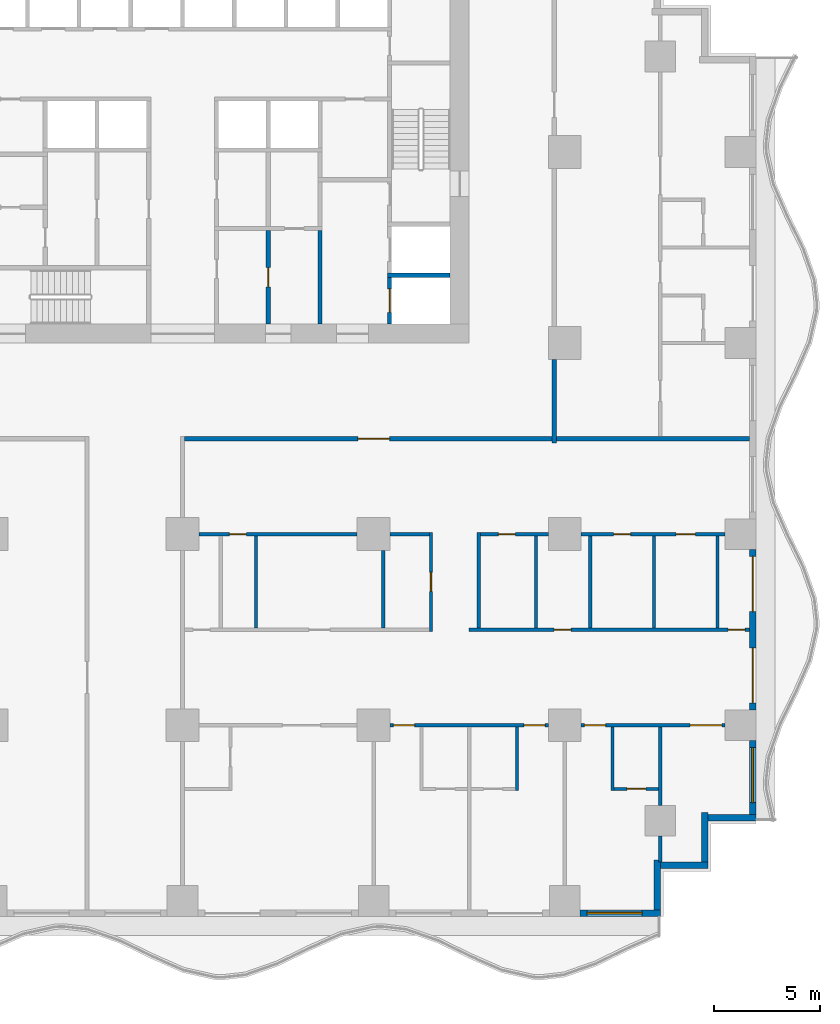
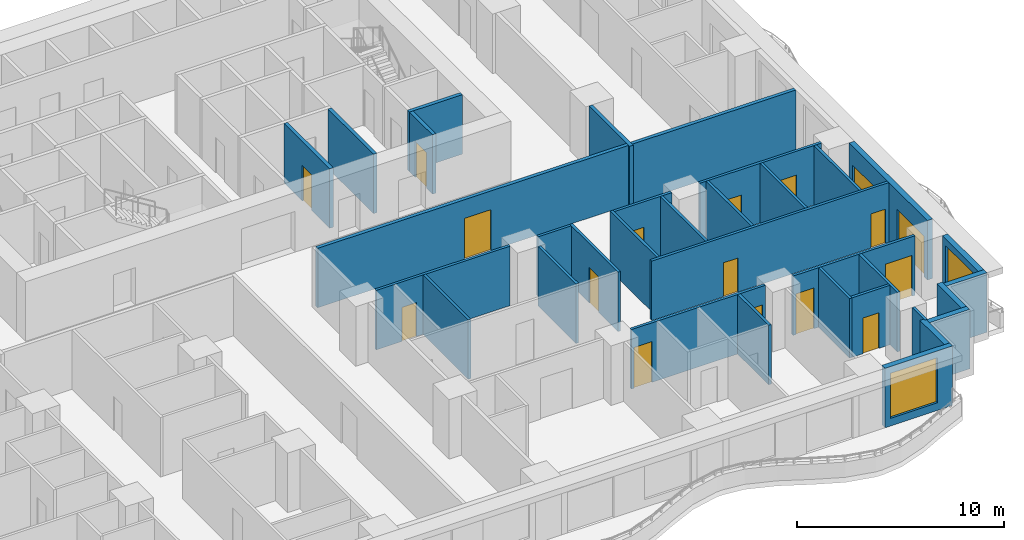
# One storey, part 4 of 14: 34 walls, 17 doors, 2 windows, 19 openings.
"""IFC4 building model written with IfcOpenShell, lengths in metres."""

from ifc_helpers import new_model, si_unit, direction, frame, frame_2d, origin, place, context, subcontext, project, spatial, rectangle, extrude, material, layer, layer_set, type_object, element, fill, save


model = new_model("IFC4")

# Units and contexts
model_context = context("Model", 3, precision=1e-05, world=origin(), true_north=direction((0.0, 1.0)))
body_context = subcontext(model_context, "Body", "Model", "MODEL_VIEW")
ifc_project = project(units=[si_unit("LENGTHUNIT", "METRE"), si_unit("AREAUNIT", "SQUARE_METRE"), si_unit("VOLUMEUNIT", "CUBIC_METRE"), si_unit("PLANEANGLEUNIT", "RADIAN"), si_unit("MASSUNIT", "GRAM", prefix="KILO")], contexts=[model_context])

# Site, building, storey
site_placement = place(None, origin())
site = spatial("IfcSite", under=ifc_project, at=site_placement, CompositionType="ELEMENT")
building_placement = place(site_placement, origin())
building = spatial("IfcBuilding", under=site, at=building_placement, Name="Orbiselva Terraces", CompositionType="ELEMENT")
storey_placement = place(building_placement, frame((0.0, 0.0, 34.0)))
storey = spatial("IfcBuildingStorey", under=building, at=storey_placement, Name="L08", CompositionType="ELEMENT", Elevation=34.0)

# Wall, opening, door
ifc_material_1 = material(Name="Masonry blockwork", Category="masonry")
ifc_layer_1 = layer(ifc_material_1, 0.2)
ifc_layer_set_1 = layer_set([ifc_layer_1], Name="Masonry blockwork")
wall_type_1 = type_object("IfcWallType", Name="CORE-WALL-PARTITION-200", PredefinedType="PARTITIONING", material=ifc_layer_set_1)
wall_1_placement = place(storey_placement, frame((4.0375, 9.8, 0.0), z_axis=(0.0, 0.0, 1.0), x_axis=(0.0, -1.0, 0.0)))
wall_1 = element("IfcWall", 1, at=wall_1_placement, inside=storey, type_object=wall_type_1, Name="L08 core wall 36", PredefinedType="PARTITIONING", context=body_context, shape_type="SweptSolid", body=[
    extrude(rectangle(XDim=4.4, YDim=0.2, at=frame_2d((2.2, 0.0))), origin(), (0.0, 0.0, 1.0), 3.5),
])
opening_1_placement = place(wall_1_placement, frame((1.75, 0.0, 0.0)))
opening_1 = element("IfcOpeningElement", 2, at=opening_1_placement, cuts=wall_1, Name="Opening DR900", PredefinedType="OPENING", context=body_context, shape_type="SweptSolid", body=[
    extrude(rectangle(XDim=0.9, YDim=2.1, at=frame_2d((0.45, 1.05))), frame((0.0, 0.11, 0.0), z_axis=(0.0, -1.0, 0.0), x_axis=(1.0, 0.0, 0.0)), (0.0, 0.0, 1.0), 0.22),
])
ifc_material_2 = material(Name="Steel fire door", Category="steel")
door_type_1 = type_object("IfcDoorType", Name="ROOM DOOR 900", OperationType="NOTDEFINED", PredefinedType="DOOR", material=ifc_material_2)
door_1_placement = place(opening_1_placement, origin())
door_1 = element("IfcDoor", 3, at=door_1_placement, inside=storey, type_object=door_type_1, Name="L08 SPARE PARTS STORE door", OperationType="SINGLE_SWING_LEFT", OverallHeight=2.1, OverallWidth=0.9, PredefinedType="DOOR", context=body_context, shape_type="SweptSolid", body=[
    extrude(rectangle(XDim=0.9, YDim=2.1, at=frame_2d((0.45, 1.05))), frame((0.0, 0.025, 0.0), z_axis=(0.0, -1.0, 0.0), x_axis=(1.0, 0.0, 0.0)), (0.0, 0.0, 1.0), 0.05),
])
fill(opening_1, door_1)

# Wall
ifc_material_3 = material(Name="Concrete C60/75", Category="concrete")
ifc_layer_2 = layer(ifc_material_3, 0.2)
ifc_layer_set_2 = layer_set([ifc_layer_2], Name="Concrete C60/75")
wall_type_2 = type_object("IfcWallType", Name="CORE-WALL-SHEAR-200", PredefinedType="SHEAR", material=ifc_layer_set_2)
wall_2_placement = place(storey_placement, frame((6.475, 5.4, 0.0), z_axis=(0.0, 0.0, 1.0), x_axis=(0.0, 1.0, 0.0)))
element("IfcWall", 4, at=wall_2_placement, inside=storey, type_object=wall_type_2, Name="L08 core wall 40", PredefinedType="SHEAR", context=body_context, shape_type="SweptSolid", body=[
    extrude(rectangle(XDim=4.4, YDim=0.2, at=frame_2d((2.2, 0.0))), origin(), (0.0, 0.0, 1.0), 3.5),
])

# Wall, opening, door
wall_3_placement = place(storey_placement, frame((9.75, 5.4, 0.0), z_axis=(0.0, 0.0, 1.0), x_axis=(0.0, 1.0, 0.0)))
wall_3 = element("IfcWall", 5, at=wall_3_placement, inside=storey, type_object=wall_type_2, Name="L08 core wall 46", PredefinedType="SHEAR", context=body_context, shape_type="SweptSolid", body=[
    extrude(rectangle(XDim=2.2, YDim=0.2, at=frame_2d((1.1, 0.0))), origin(), (0.0, 0.0, 1.0), 3.5),
])
opening_2_placement = place(wall_3_placement, frame((0.55, 0.0, 0.0)))
opening_2 = element("IfcOpeningElement", 6, at=opening_2_placement, cuts=wall_3, Name="Opening LD-FF1", PredefinedType="OPENING", context=body_context, shape_type="SweptSolid", body=[
    extrude(rectangle(XDim=1.1, YDim=2.1, at=frame_2d((0.55, 1.05))), frame((0.0, 0.11, 0.0), z_axis=(0.0, -1.0, 0.0), x_axis=(1.0, 0.0, 0.0)), (0.0, 0.0, 1.0), 0.22),
])
ifc_material_4 = material(Name="Stainless steel landing door", Category="steel")
door_type_2 = type_object("IfcDoorType", Name="LANDING DOOR 1100", OperationType="SLIDING_TO_LEFT", PredefinedType="DOOR", material=ifc_material_4)
door_2_placement = place(opening_2_placement, origin())
door_2 = element("IfcDoor", 7, at=door_2_placement, inside=storey, type_object=door_type_2, Name="L08 landing door FF1", OperationType="SLIDING_TO_RIGHT", OverallHeight=2.1, OverallWidth=1.1, PredefinedType="DOOR", context=body_context, shape_type="SweptSolid", body=[
    extrude(rectangle(XDim=1.1, YDim=2.1, at=frame_2d((0.55, 1.05))), frame((0.0, 0.025, 0.0), z_axis=(0.0, -1.0, 0.0), x_axis=(1.0, 0.0, 0.0)), (0.0, 0.0, 1.0), 0.05),
])
fill(opening_2, door_2)

# Wall
wall_4_placement = place(storey_placement, frame((9.65, 7.7, 0.0), z_axis=(0.0, 0.0, 1.0), x_axis=(1.0, 0.0, 0.0)))
element("IfcWall", 8, at=wall_4_placement, inside=storey, type_object=wall_type_2, Name="L08 core wall 47", PredefinedType="SHEAR", context=body_context, shape_type="SweptSolid", body=[
    extrude(rectangle(XDim=2.95, YDim=0.2, at=frame_2d((1.475, 0.0))), origin(), (0.0, 0.0, 1.0), 3.5),
])

# Wall, opening, window
ifc_material_5 = material(Name="Terracotta cladding on masonry backing", Category="masonry")
ifc_layer_3 = layer(ifc_material_5, 0.3)
ifc_layer_set_3 = layer_set([ifc_layer_3], Name="Terracotta cladding on masonry backing")
wall_type_3 = type_object("IfcWallType", Name="ENV-WALL-TERRACOTTA-300", PredefinedType="SOLIDWALL", material=ifc_layer_set_3)
wall_5_placement = place(storey_placement, frame((22.5, -22.35, 0.0), z_axis=(0.0, 0.0, 1.0), x_axis=(-1.0, 0.0, 0.0)))
wall_5 = element("IfcWall", 9, at=wall_5_placement, inside=storey, type_object=wall_type_3, Name="Facade wall L08 S", PredefinedType="SOLIDWALL", context=body_context, shape_type="SweptSolid", body=[
    extrude(rectangle(XDim=3.775, YDim=0.3, at=frame_2d((1.8875, 0.0))), origin(), (0.0, 0.0, 1.0), 3.5),
])
opening_3_placement = place(wall_5_placement, frame((0.85, 0.0, 0.45)))
opening_3 = element("IfcOpeningElement", 10, at=opening_3_placement, cuts=wall_5, Name="Opening WN1", PredefinedType="OPENING", context=body_context, shape_type="SweptSolid", body=[
    extrude(rectangle(XDim=2.6, YDim=2.65, at=frame_2d((1.3, 1.325))), frame((0.0, 0.16, 0.0), z_axis=(0.0, -1.0, 0.0), x_axis=(1.0, 0.0, 0.0)), (0.0, 0.0, 1.0), 0.32),
])
ifc_material_6 = material(Name="Clear low-e glazing in aluminium frame", Category="aluminium")
window_type = type_object("IfcWindowType", Name="WINDOW 2600 X 2650 S450", PartitioningType="TRIPLE_PANEL_VERTICAL", PredefinedType="WINDOW", material=ifc_material_6)
window_1_placement = place(opening_3_placement, origin())
window_1 = element("IfcWindow", 11, at=window_1_placement, inside=storey, type_object=window_type, Name="Window L08 S", OverallHeight=2.65, OverallWidth=2.6, PartitioningType="SINGLE_PANEL", PredefinedType="WINDOW", context=body_context, shape_type="SweptSolid", body=[
    extrude(rectangle(XDim=2.6, YDim=2.65, at=frame_2d((1.3, 1.325))), frame((0.0, 0.03, 0.0), z_axis=(0.0, -1.0, 0.0), x_axis=(1.0, 0.0, 0.0)), (0.0, 0.0, 1.0), 0.06),
])
fill(opening_3, window_1)

# Walls
wall_6_placement = place(storey_placement, frame((22.35, -19.85, 0.0), z_axis=(0.0, 0.0, 1.0), x_axis=(0.0, -1.0, 0.0)))
element("IfcWall", 12, at=wall_6_placement, inside=storey, type_object=wall_type_3, Name="Facade wall L08 STEP", PredefinedType="SOLIDWALL", context=body_context, shape_type="SweptSolid", body=[
    extrude(rectangle(XDim=2.35, YDim=0.3, at=frame_2d((1.175, 0.0))), origin(), (0.0, 0.0, 1.0), 3.5),
])
wall_7_placement = place(storey_placement, frame((24.75, -20.1, 0.0), z_axis=(0.0, 0.0, 1.0), x_axis=(-1.0, 0.0, 0.0)))
element("IfcWall", 13, at=wall_7_placement, inside=storey, type_object=wall_type_3, Name="Facade wall L08 STEP", PredefinedType="SOLIDWALL", context=body_context, shape_type="SweptSolid", body=[
    extrude(rectangle(XDim=2.25, YDim=0.3, at=frame_2d((1.125, 0.0))), origin(), (0.0, 0.0, 1.0), 3.5),
])
wall_8_placement = place(storey_placement, frame((24.6, -17.6, 0.0), z_axis=(0.0, 0.0, 1.0), x_axis=(0.0, -1.0, 0.0)))
element("IfcWall", 14, at=wall_8_placement, inside=storey, type_object=wall_type_3, Name="Facade wall L08 STEP", PredefinedType="SOLIDWALL", context=body_context, shape_type="SweptSolid", body=[
    extrude(rectangle(XDim=2.35, YDim=0.3, at=frame_2d((1.175, 0.0))), origin(), (0.0, 0.0, 1.0), 3.5),
])
wall_9_placement = place(storey_placement, frame((27.0, -17.85, 0.0), z_axis=(0.0, 0.0, 1.0), x_axis=(-1.0, 0.0, 0.0)))
element("IfcWall", 15, at=wall_9_placement, inside=storey, type_object=wall_type_3, Name="Facade wall L08 STEP", PredefinedType="SOLIDWALL", context=body_context, shape_type="SweptSolid", body=[
    extrude(rectangle(XDim=2.25, YDim=0.3, at=frame_2d((1.125, 0.0))), origin(), (0.0, 0.0, 1.0), 3.5),
])

# Wall, opening, window
wall_10_placement = place(storey_placement, frame((26.85, -14.225, 0.0), z_axis=(0.0, 0.0, 1.0), x_axis=(0.0, -1.0, 0.0)))
wall_10 = element("IfcWall", 16, at=wall_10_placement, inside=storey, type_object=wall_type_3, Name="Facade wall L08 E", PredefinedType="SOLIDWALL", context=body_context, shape_type="SweptSolid", body=[
    extrude(rectangle(XDim=3.475, YDim=0.3, at=frame_2d((1.7375, 0.0))), origin(), (0.0, 0.0, 1.0), 3.5),
])
opening_4_placement = place(wall_10_placement, frame((0.325, 0.0, 0.45)))
opening_4 = element("IfcOpeningElement", 17, at=opening_4_placement, cuts=wall_10, Name="Opening WN1", PredefinedType="OPENING", context=body_context, shape_type="SweptSolid", body=[
    extrude(rectangle(XDim=2.6, YDim=2.65, at=frame_2d((1.3, 1.325))), frame((0.0, 0.16, 0.0), z_axis=(0.0, -1.0, 0.0), x_axis=(1.0, 0.0, 0.0)), (0.0, 0.0, 1.0), 0.32),
])
window_2_placement = place(opening_4_placement, origin())
window_2 = element("IfcWindow", 18, at=window_2_placement, inside=storey, type_object=window_type, Name="Window L08 E", OverallHeight=2.65, OverallWidth=2.6, PartitioningType="SINGLE_PANEL", PredefinedType="WINDOW", context=body_context, shape_type="SweptSolid", body=[
    extrude(rectangle(XDim=2.6, YDim=2.65, at=frame_2d((1.3, 1.325))), frame((0.0, 0.03, 0.0), z_axis=(0.0, -1.0, 0.0), x_axis=(1.0, 0.0, 0.0)), (0.0, 0.0, 1.0), 0.06),
])
fill(opening_4, window_2)

# Wall, openings, doors
wall_11_placement = place(storey_placement, frame((26.85, -5.225, 0.0), z_axis=(0.0, 0.0, 1.0), x_axis=(0.0, -1.0, 0.0)))
wall_11 = element("IfcWall", 19, at=wall_11_placement, inside=storey, type_object=wall_type_3, Name="Facade wall L08 E", PredefinedType="SOLIDWALL", context=body_context, shape_type="SweptSolid", body=[
    extrude(rectangle(XDim=7.55, YDim=0.3, at=frame_2d((3.775, 0.0))), origin(), (0.0, 0.0, 1.0), 3.5),
])
opening_5_placement = place(wall_11_placement, frame((4.625, 0.0, 0.0)))
opening_5 = element("IfcOpeningElement", 20, at=opening_5_placement, cuts=wall_11, Name="Opening Z1-B-E20", PredefinedType="OPENING", context=body_context, shape_type="SweptSolid", body=[
    extrude(rectangle(XDim=2.6, YDim=2.4, at=frame_2d((1.3, 1.2))), frame((0.0, 0.16, 0.0), z_axis=(0.0, -1.0, 0.0), x_axis=(1.0, 0.0, 0.0)), (0.0, 0.0, 1.0), 0.32),
])
opening_6_placement = place(wall_11_placement, frame((0.325, 0.0, 0.0)))
opening_6 = element("IfcOpeningElement", 21, at=opening_6_placement, cuts=wall_11, Name="Opening Z1-B-E05", PredefinedType="OPENING", context=body_context, shape_type="SweptSolid", body=[
    extrude(rectangle(XDim=2.6, YDim=2.4, at=frame_2d((1.3, 1.2))), frame((0.0, 0.16, 0.0), z_axis=(0.0, -1.0, 0.0), x_axis=(1.0, 0.0, 0.0)), (0.0, 0.0, 1.0), 0.32),
])
door_type_3 = type_object("IfcDoorType", Name="BALCONY DOOR 2600 X 2400", OperationType="DOUBLE_DOOR_SLIDING", PredefinedType="DOOR", material=ifc_material_6)
door_3_placement = place(opening_5_placement, origin())
door_3 = element("IfcDoor", 22, at=door_3_placement, inside=storey, type_object=door_type_3, Name="Z1-B-E20", OperationType="SINGLE_SWING_LEFT", OverallHeight=2.4, OverallWidth=2.6, PredefinedType="DOOR", context=body_context, shape_type="SweptSolid", body=[
    extrude(rectangle(XDim=2.6, YDim=2.4, at=frame_2d((1.3, 1.2))), frame((0.0, 0.025, 0.0), z_axis=(0.0, -1.0, 0.0), x_axis=(1.0, 0.0, 0.0)), (0.0, 0.0, 1.0), 0.05),
])
fill(opening_5, door_3)
door_4_placement = place(opening_6_placement, origin())
door_4 = element("IfcDoor", 23, at=door_4_placement, inside=storey, type_object=door_type_3, Name="Z1-B-E05", OperationType="SINGLE_SWING_LEFT", OverallHeight=2.4, OverallWidth=2.6, PredefinedType="DOOR", context=body_context, shape_type="SweptSolid", body=[
    extrude(rectangle(XDim=2.6, YDim=2.4, at=frame_2d((1.3, 1.2))), frame((0.0, 0.025, 0.0), z_axis=(0.0, -1.0, 0.0), x_axis=(1.0, 0.0, 0.0)), (0.0, 0.0, 1.0), 0.05),
])
fill(opening_6, door_4)

# Wall, opening, door
ifc_material_7 = material(Name="Plasterboard on steel stud partition", Category="steel")
ifc_layer_4 = layer(ifc_material_7, 0.2)
ifc_layer_set_4 = layer_set([ifc_layer_4], Name="Plasterboard on steel stud partition")
wall_type_4 = type_object("IfcWallType", Name="UNIT-ENTRANCE-WALL-200", PredefinedType="PARTITIONING", material=ifc_layer_set_4)
wall_12_placement = place(storey_placement, frame((17.4, 0.0, 0.0), z_axis=(0.0, 0.0, 1.0), x_axis=(-1.0, 0.0, 0.0)))
wall_12 = element("IfcWall", 24, at=wall_12_placement, inside=storey, type_object=wall_type_4, Name="PARTITION L08-029", PredefinedType="PARTITIONING", context=body_context, shape_type="SweptSolid", body=[
    extrude(rectangle(XDim=17.3, YDim=0.2, at=frame_2d((8.65, 0.0))), origin(), (0.0, 0.0, 1.0), 3.5),
])
opening_7_placement = place(wall_12_placement, frame((7.65, 0.0, 0.0)))
opening_7 = element("IfcOpeningElement", 25, at=opening_7_placement, cuts=wall_12, Name="Opening Z1-B-28", PredefinedType="OPENING", context=body_context, shape_type="SweptSolid", body=[
    extrude(rectangle(XDim=1.5, YDim=2.4, at=frame_2d((0.75, 1.2))), frame((0.0, 0.11, 0.0), z_axis=(0.0, -1.0, 0.0), x_axis=(1.0, 0.0, 0.0)), (0.0, 0.0, 1.0), 0.22),
])
ifc_material_8 = material(Name="Painted timber door leaf", Category="wood")
door_type_4 = type_object("IfcDoorType", Name="ENTRANCE DOUBLE DOOR 1500", OperationType="NOTDEFINED", PredefinedType="DOOR", material=ifc_material_8)
door_5_placement = place(opening_7_placement, origin())
door_5 = element("IfcDoor", 26, at=door_5_placement, inside=storey, type_object=door_type_4, Name="Z1-B-28", OperationType="DOUBLE_DOOR_SINGLE_SWING", OverallHeight=2.4, OverallWidth=1.5, PredefinedType="DOOR", context=body_context, shape_type="SweptSolid", body=[
    extrude(rectangle(XDim=1.5, YDim=2.4, at=frame_2d((0.75, 1.2))), frame((0.0, 0.025, 0.0), z_axis=(0.0, -1.0, 0.0), x_axis=(1.0, 0.0, 0.0)), (0.0, 0.0, 1.0), 0.05),
])
fill(opening_7, door_5)

# Wall
wall_13_placement = place(storey_placement, frame((17.5, -0.2, 0.0), z_axis=(0.0, 0.0, 1.0), x_axis=(0.0, 1.0, 0.0)))
element("IfcWall", 27, at=wall_13_placement, inside=storey, type_object=wall_type_4, Name="PARTITION L08-073", PredefinedType="PARTITIONING", context=body_context, shape_type="SweptSolid", body=[
    extrude(rectangle(XDim=3.925, YDim=0.2, at=frame_2d((1.9625, 0.0))), origin(), (0.0, 0.0, 1.0), 3.5),
])

# Wall, opening, door
ifc_layer_5 = layer(ifc_material_7, 0.15)
ifc_layer_set_5 = layer_set([ifc_layer_5], Name="Plasterboard on steel stud partition")
wall_type_5 = type_object("IfcWallType", Name="UNIT-PARTITION-150", PredefinedType="PARTITIONING", material=ifc_layer_set_5)
wall_14_placement = place(storey_placement, frame((20.325, -16.5, 0.0), z_axis=(0.0, 0.0, 1.0), x_axis=(1.0, 0.0, 0.0)))
wall_14 = element("IfcWall", 28, at=wall_14_placement, inside=storey, type_object=wall_type_5, Name="PARTITION L08-006", PredefinedType="PARTITIONING", context=body_context, shape_type="SweptSolid", body=[
    extrude(rectangle(XDim=2.1, YDim=0.15, at=frame_2d((1.05, 0.0))), origin(), (0.0, 0.0, 1.0), 3.5),
])
opening_8_placement = place(wall_14_placement, frame((0.6, 0.0, 0.0)))
opening_8 = element("IfcOpeningElement", 29, at=opening_8_placement, cuts=wall_14, Name="Opening Z1-B-45", PredefinedType="OPENING", context=body_context, shape_type="SweptSolid", body=[
    extrude(rectangle(XDim=0.9, YDim=2.1, at=frame_2d((0.45, 1.05))), frame((0.0, 0.085, 0.0), z_axis=(0.0, -1.0, 0.0), x_axis=(1.0, 0.0, 0.0)), (0.0, 0.0, 1.0), 0.17),
])
door_type_5 = type_object("IfcDoorType", Name="BATH DOOR 900", OperationType="NOTDEFINED", PredefinedType="DOOR", material=ifc_material_8)
door_6_placement = place(opening_8_placement, origin())
door_6 = element("IfcDoor", 30, at=door_6_placement, inside=storey, type_object=door_type_5, Name="Z1-B-45", OperationType="SINGLE_SWING_LEFT", OverallHeight=2.1, OverallWidth=0.9, PredefinedType="DOOR", context=body_context, shape_type="SweptSolid", body=[
    extrude(rectangle(XDim=0.9, YDim=2.1, at=frame_2d((0.45, 1.05))), frame((0.0, 0.025, 0.0), z_axis=(0.0, -1.0, 0.0), x_axis=(1.0, 0.0, 0.0)), (0.0, 0.0, 1.0), 0.05),
])
fill(opening_8, door_6)

# Wall, openings, doors
wall_15_placement = place(storey_placement, frame((17.225, -13.5, 0.0), z_axis=(0.0, 0.0, 1.0), x_axis=(-1.0, 0.0, 0.0)))
wall_15 = element("IfcWall", 31, at=wall_15_placement, inside=storey, type_object=wall_type_5, Name="PARTITION L08-010", PredefinedType="PARTITIONING", context=body_context, shape_type="SweptSolid", body=[
    extrude(rectangle(XDim=7.45, YDim=0.15, at=frame_2d((3.725, 0.0))), origin(), (0.0, 0.0, 1.0), 3.5),
])
opening_9_placement = place(wall_15_placement, frame((6.3, 0.0, 0.0)))
opening_9 = element("IfcOpeningElement", 32, at=opening_9_placement, cuts=wall_15, Name="Opening Z1-B-40", PredefinedType="OPENING", context=body_context, shape_type="SweptSolid", body=[
    extrude(rectangle(XDim=1.0, YDim=2.4, at=frame_2d((0.5, 1.2))), frame((0.0, 0.085, 0.0), z_axis=(0.0, -1.0, 0.0), x_axis=(1.0, 0.0, 0.0)), (0.0, 0.0, 1.0), 0.17),
])
opening_10_placement = place(wall_15_placement, frame((0.15, 0.0, 0.0)))
opening_10 = element("IfcOpeningElement", 33, at=opening_10_placement, cuts=wall_15, Name="Opening Z1-B-42", PredefinedType="OPENING", context=body_context, shape_type="SweptSolid", body=[
    extrude(rectangle(XDim=1.0, YDim=2.4, at=frame_2d((0.5, 1.2))), frame((0.0, 0.085, 0.0), z_axis=(0.0, -1.0, 0.0), x_axis=(1.0, 0.0, 0.0)), (0.0, 0.0, 1.0), 0.17),
])
door_type_6 = type_object("IfcDoorType", Name="ROOM DOOR 1000", OperationType="NOTDEFINED", PredefinedType="DOOR", material=ifc_material_8)
door_7_placement = place(opening_9_placement, origin())
door_7 = element("IfcDoor", 34, at=door_7_placement, inside=storey, type_object=door_type_6, Name="Z1-B-40", OperationType="SINGLE_SWING_RIGHT", OverallHeight=2.4, OverallWidth=1.0, PredefinedType="DOOR", context=body_context, shape_type="SweptSolid", body=[
    extrude(rectangle(XDim=1.0, YDim=2.4, at=frame_2d((0.5, 1.2))), frame((0.0, 0.025, 0.0), z_axis=(0.0, -1.0, 0.0), x_axis=(1.0, 0.0, 0.0)), (0.0, 0.0, 1.0), 0.05),
])
fill(opening_9, door_7)
door_8_placement = place(opening_10_placement, origin())
door_8 = element("IfcDoor", 35, at=door_8_placement, inside=storey, type_object=door_type_6, Name="Z1-B-42", OperationType="SINGLE_SWING_LEFT", OverallHeight=2.4, OverallWidth=1.0, PredefinedType="DOOR", context=body_context, shape_type="SweptSolid", body=[
    extrude(rectangle(XDim=1.0, YDim=2.4, at=frame_2d((0.5, 1.2))), frame((0.0, 0.025, 0.0), z_axis=(0.0, -1.0, 0.0), x_axis=(1.0, 0.0, 0.0)), (0.0, 0.0, 1.0), 0.05),
])
fill(opening_10, door_8)

wall_16_placement = place(storey_placement, frame((25.55, -13.5, 0.0), z_axis=(0.0, 0.0, 1.0), x_axis=(-1.0, 0.0, 0.0)))
wall_16 = element("IfcWall", 36, at=wall_16_placement, inside=storey, type_object=wall_type_5, Name="PARTITION L08-011", PredefinedType="PARTITIONING", context=body_context, shape_type="SweptSolid", body=[
    extrude(rectangle(XDim=6.775, YDim=0.15, at=frame_2d((3.3875, 0.0))), origin(), (0.0, 0.0, 1.0), 3.5),
])
opening_11_placement = place(wall_16_placement, frame((5.625, 0.0, 0.0)))
opening_11 = element("IfcOpeningElement", 37, at=opening_11_placement, cuts=wall_16, Name="Opening Z1-B-44", PredefinedType="OPENING", context=body_context, shape_type="SweptSolid", body=[
    extrude(rectangle(XDim=1.0, YDim=2.4, at=frame_2d((0.5, 1.2))), frame((0.0, 0.085, 0.0), z_axis=(0.0, -1.0, 0.0), x_axis=(1.0, 0.0, 0.0)), (0.0, 0.0, 1.0), 0.17),
])
opening_12_placement = place(wall_16_placement, frame((0.15, 0.0, 0.0)))
opening_12 = element("IfcOpeningElement", 38, at=opening_12_placement, cuts=wall_16, Name="Opening Z1-B-46", PredefinedType="OPENING", context=body_context, shape_type="SweptSolid", body=[
    extrude(rectangle(XDim=1.5, YDim=2.4, at=frame_2d((0.75, 1.2))), frame((0.0, 0.085, 0.0), z_axis=(0.0, -1.0, 0.0), x_axis=(1.0, 0.0, 0.0)), (0.0, 0.0, 1.0), 0.17),
])
door_type_7 = type_object("IfcDoorType", Name="DOUBLE DOOR 1500", OperationType="NOTDEFINED", PredefinedType="DOOR", material=ifc_material_8)
door_9_placement = place(opening_12_placement, origin())
door_9 = element("IfcDoor", 39, at=door_9_placement, inside=storey, type_object=door_type_7, Name="Z1-B-46", OperationType="DOUBLE_DOOR_SINGLE_SWING", OverallHeight=2.4, OverallWidth=1.5, PredefinedType="DOOR", context=body_context, shape_type="SweptSolid", body=[
    extrude(rectangle(XDim=1.5, YDim=2.4, at=frame_2d((0.75, 1.2))), frame((0.0, 0.025, 0.0), z_axis=(0.0, -1.0, 0.0), x_axis=(1.0, 0.0, 0.0)), (0.0, 0.0, 1.0), 0.05),
])
fill(opening_12, door_9)
door_10_placement = place(opening_11_placement, origin())
door_10 = element("IfcDoor", 40, at=door_10_placement, inside=storey, type_object=door_type_6, Name="Z1-B-44", OperationType="SINGLE_SWING_RIGHT", OverallHeight=2.4, OverallWidth=1.0, PredefinedType="DOOR", context=body_context, shape_type="SweptSolid", body=[
    extrude(rectangle(XDim=1.0, YDim=2.4, at=frame_2d((0.5, 1.2))), frame((0.0, 0.025, 0.0), z_axis=(0.0, -1.0, 0.0), x_axis=(1.0, 0.0, 0.0)), (0.0, 0.0, 1.0), 0.05),
])
fill(opening_11, door_10)

wall_17_placement = place(storey_placement, frame((13.5, -9.0, 0.0), z_axis=(0.0, 0.0, 1.0), x_axis=(1.0, 0.0, 0.0)))
wall_17 = element("IfcWall", 41, at=wall_17_placement, inside=storey, type_object=wall_type_5, Name="PARTITION L08-018", PredefinedType="PARTITIONING", context=body_context, shape_type="SweptSolid", body=[
    extrude(rectangle(XDim=13.2, YDim=0.15, at=frame_2d((6.6, 0.0))), origin(), (0.0, 0.0, 1.0), 3.5),
])
opening_13_placement = place(wall_17_placement, frame((4.0, 0.0, 0.0)))
opening_13 = element("IfcOpeningElement", 42, at=opening_13_placement, cuts=wall_17, Name="Opening Z1-B-34", PredefinedType="OPENING", context=body_context, shape_type="SweptSolid", body=[
    extrude(rectangle(XDim=0.8, YDim=2.0, at=frame_2d((0.4, 1.0))), frame((0.0, 0.085, 0.0), z_axis=(0.0, -1.0, 0.0), x_axis=(1.0, 0.0, 0.0)), (0.0, 0.0, 1.0), 0.17),
])
opening_14_placement = place(wall_17_placement, frame((12.2, 0.0, 0.0)))
opening_14 = element("IfcOpeningElement", 43, at=opening_14_placement, cuts=wall_17, Name="Opening Z1-B-37", PredefinedType="OPENING", context=body_context, shape_type="SweptSolid", body=[
    extrude(rectangle(XDim=0.8, YDim=2.0, at=frame_2d((0.4, 1.0))), frame((0.0, 0.085, 0.0), z_axis=(0.0, -1.0, 0.0), x_axis=(1.0, 0.0, 0.0)), (0.0, 0.0, 1.0), 0.17),
])
door_type_8 = type_object("IfcDoorType", Name="STORE DOOR 800", OperationType="NOTDEFINED", PredefinedType="DOOR", material=ifc_material_8)
door_11_placement = place(opening_13_placement, origin())
door_11 = element("IfcDoor", 44, at=door_11_placement, inside=storey, type_object=door_type_8, Name="Z1-B-34", OperationType="SINGLE_SWING_LEFT", OverallHeight=2.0, OverallWidth=0.8, PredefinedType="DOOR", context=body_context, shape_type="SweptSolid", body=[
    extrude(rectangle(XDim=0.8, YDim=2.0, at=frame_2d((0.4, 1.0))), frame((0.0, 0.025, 0.0), z_axis=(0.0, -1.0, 0.0), x_axis=(1.0, 0.0, 0.0)), (0.0, 0.0, 1.0), 0.05),
])
fill(opening_13, door_11)
door_12_placement = place(opening_14_placement, origin())
door_12 = element("IfcDoor", 45, at=door_12_placement, inside=storey, type_object=door_type_8, Name="Z1-B-37", OperationType="SINGLE_SWING_RIGHT", OverallHeight=2.0, OverallWidth=0.8, PredefinedType="DOOR", context=body_context, shape_type="SweptSolid", body=[
    extrude(rectangle(XDim=0.8, YDim=2.0, at=frame_2d((0.4, 1.0))), frame((0.0, 0.025, 0.0), z_axis=(0.0, -1.0, 0.0), x_axis=(1.0, 0.0, 0.0)), (0.0, 0.0, 1.0), 0.05),
])
fill(opening_14, door_12)

# Wall, opening, door
wall_18_placement = place(storey_placement, frame((8.225, -4.5, 0.0), z_axis=(0.0, 0.0, 1.0), x_axis=(-1.0, 0.0, 0.0)))
wall_18 = element("IfcWall", 46, at=wall_18_placement, inside=storey, type_object=wall_type_5, Name="PARTITION L08-023", PredefinedType="PARTITIONING", context=body_context, shape_type="SweptSolid", body=[
    extrude(rectangle(XDim=7.45, YDim=0.15, at=frame_2d((3.725, 0.0))), origin(), (0.0, 0.0, 1.0), 3.5),
])
opening_15_placement = place(wall_18_placement, frame((5.225, 0.0, 0.0)))
opening_15 = element("IfcOpeningElement", 47, at=opening_15_placement, cuts=wall_18, Name="Opening Z1-B-30", PredefinedType="OPENING", context=body_context, shape_type="SweptSolid", body=[
    extrude(rectangle(XDim=0.8, YDim=2.0, at=frame_2d((0.4, 1.0))), frame((0.0, 0.085, 0.0), z_axis=(0.0, -1.0, 0.0), x_axis=(1.0, 0.0, 0.0)), (0.0, 0.0, 1.0), 0.17),
])
door_13_placement = place(opening_15_placement, origin())
door_13 = element("IfcDoor", 48, at=door_13_placement, inside=storey, type_object=door_type_8, Name="Z1-B-30", OperationType="SINGLE_SWING_RIGHT", OverallHeight=2.0, OverallWidth=0.8, PredefinedType="DOOR", context=body_context, shape_type="SweptSolid", body=[
    extrude(rectangle(XDim=0.8, YDim=2.0, at=frame_2d((0.4, 1.0))), frame((0.0, 0.025, 0.0), z_axis=(0.0, -1.0, 0.0), x_axis=(1.0, 0.0, 0.0)), (0.0, 0.0, 1.0), 0.05),
])
fill(opening_15, door_13)

# Wall
wall_19_placement = place(storey_placement, frame((9.775, -4.5, 0.0), z_axis=(0.0, 0.0, 1.0), x_axis=(1.0, 0.0, 0.0)))
element("IfcWall", 49, at=wall_19_placement, inside=storey, type_object=wall_type_5, Name="PARTITION L08-024", PredefinedType="PARTITIONING", context=body_context, shape_type="SweptSolid", body=[
    extrude(rectangle(XDim=1.85, YDim=0.15, at=frame_2d((0.925, 0.0))), origin(), (0.0, 0.0, 1.0), 3.5),
])

# Wall, opening, door
wall_20_placement = place(storey_placement, frame((17.225, -4.5, 0.0), z_axis=(0.0, 0.0, 1.0), x_axis=(-1.0, 0.0, 0.0)))
wall_20 = element("IfcWall", 50, at=wall_20_placement, inside=storey, type_object=wall_type_5, Name="PARTITION L08-025", PredefinedType="PARTITIONING", context=body_context, shape_type="SweptSolid", body=[
    extrude(rectangle(XDim=3.2, YDim=0.15, at=frame_2d((1.6, 0.0))), origin(), (0.0, 0.0, 1.0), 3.5),
])
opening_16_placement = place(wall_20_placement, frame((1.55, 0.0, 0.0)))
opening_16 = element("IfcOpeningElement", 51, at=opening_16_placement, cuts=wall_20, Name="Opening Z1-B-33", PredefinedType="OPENING", context=body_context, shape_type="SweptSolid", body=[
    extrude(rectangle(XDim=0.8, YDim=2.0, at=frame_2d((0.4, 1.0))), frame((0.0, 0.085, 0.0), z_axis=(0.0, -1.0, 0.0), x_axis=(1.0, 0.0, 0.0)), (0.0, 0.0, 1.0), 0.17),
])
door_14_placement = place(opening_16_placement, origin())
door_14 = element("IfcDoor", 52, at=door_14_placement, inside=storey, type_object=door_type_8, Name="Z1-B-33", OperationType="SINGLE_SWING_RIGHT", OverallHeight=2.0, OverallWidth=0.8, PredefinedType="DOOR", context=body_context, shape_type="SweptSolid", body=[
    extrude(rectangle(XDim=0.8, YDim=2.0, at=frame_2d((0.4, 1.0))), frame((0.0, 0.025, 0.0), z_axis=(0.0, -1.0, 0.0), x_axis=(1.0, 0.0, 0.0)), (0.0, 0.0, 1.0), 0.05),
])
fill(opening_16, door_14)

# Wall, openings, doors
wall_21_placement = place(storey_placement, frame((25.55, -4.5, 0.0), z_axis=(0.0, 0.0, 1.0), x_axis=(-1.0, 0.0, 0.0)))
wall_21 = element("IfcWall", 53, at=wall_21_placement, inside=storey, type_object=wall_type_5, Name="PARTITION L08-026", PredefinedType="PARTITIONING", context=body_context, shape_type="SweptSolid", body=[
    extrude(rectangle(XDim=6.775, YDim=0.15, at=frame_2d((3.3875, 0.0))), origin(), (0.0, 0.0, 1.0), 3.5),
])
opening_17_placement = place(wall_21_placement, frame((4.45, 0.0, 0.0)))
opening_17 = element("IfcOpeningElement", 54, at=opening_17_placement, cuts=wall_21, Name="Opening Z1-B-35", PredefinedType="OPENING", context=body_context, shape_type="SweptSolid", body=[
    extrude(rectangle(XDim=0.8, YDim=2.0, at=frame_2d((0.4, 1.0))), frame((0.0, 0.085, 0.0), z_axis=(0.0, -1.0, 0.0), x_axis=(1.0, 0.0, 0.0)), (0.0, 0.0, 1.0), 0.17),
])
opening_18_placement = place(wall_21_placement, frame((1.4, 0.0, 0.0)))
opening_18 = element("IfcOpeningElement", 55, at=opening_18_placement, cuts=wall_21, Name="Opening Z1-B-36", PredefinedType="OPENING", context=body_context, shape_type="SweptSolid", body=[
    extrude(rectangle(XDim=0.9, YDim=2.1, at=frame_2d((0.45, 1.05))), frame((0.0, 0.085, 0.0), z_axis=(0.0, -1.0, 0.0), x_axis=(1.0, 0.0, 0.0)), (0.0, 0.0, 1.0), 0.17),
])
door_type_9 = type_object("IfcDoorType", Name="SERVICE DOOR 900", OperationType="NOTDEFINED", PredefinedType="DOOR", material=ifc_material_8)
door_15_placement = place(opening_18_placement, origin())
door_15 = element("IfcDoor", 56, at=door_15_placement, inside=storey, type_object=door_type_9, Name="Z1-B-36", OperationType="SINGLE_SWING_LEFT", OverallHeight=2.1, OverallWidth=0.9, PredefinedType="DOOR", context=body_context, shape_type="SweptSolid", body=[
    extrude(rectangle(XDim=0.9, YDim=2.1, at=frame_2d((0.45, 1.05))), frame((0.0, 0.025, 0.0), z_axis=(0.0, -1.0, 0.0), x_axis=(1.0, 0.0, 0.0)), (0.0, 0.0, 1.0), 0.05),
])
fill(opening_18, door_15)
door_16_placement = place(opening_17_placement, origin())
door_16 = element("IfcDoor", 57, at=door_16_placement, inside=storey, type_object=door_type_8, Name="Z1-B-35", OperationType="SINGLE_SWING_RIGHT", OverallHeight=2.0, OverallWidth=0.8, PredefinedType="DOOR", context=body_context, shape_type="SweptSolid", body=[
    extrude(rectangle(XDim=0.8, YDim=2.0, at=frame_2d((0.4, 1.0))), frame((0.0, 0.025, 0.0), z_axis=(0.0, -1.0, 0.0), x_axis=(1.0, 0.0, 0.0)), (0.0, 0.0, 1.0), 0.05),
])
fill(opening_17, door_16)

# Walls
wall_22_placement = place(storey_placement, frame((3.45, -8.925, 0.0), z_axis=(0.0, 0.0, 1.0), x_axis=(0.0, 1.0, 0.0)))
element("IfcWall", 58, at=wall_22_placement, inside=storey, type_object=wall_type_5, Name="PARTITION L08-064", PredefinedType="PARTITIONING", context=body_context, shape_type="SweptSolid", body=[
    extrude(rectangle(XDim=4.35, YDim=0.15, at=frame_2d((2.175, 0.0))), origin(), (0.0, 0.0, 1.0), 3.5),
])
wall_23_placement = place(storey_placement, frame((9.45, -8.925, 0.0), z_axis=(0.0, 0.0, 1.0), x_axis=(0.0, 1.0, 0.0)))
element("IfcWall", 59, at=wall_23_placement, inside=storey, type_object=wall_type_5, Name="PARTITION L08-066", PredefinedType="PARTITIONING", context=body_context, shape_type="SweptSolid", body=[
    extrude(rectangle(XDim=3.65, YDim=0.15, at=frame_2d((1.825, 0.0))), origin(), (0.0, 0.0, 1.0), 3.5),
])

# Wall, opening, door
wall_24_placement = place(storey_placement, frame((11.7, -9.075, 0.0), z_axis=(0.0, 0.0, 1.0), x_axis=(0.0, 1.0, 0.0)))
wall_24 = element("IfcWall", 60, at=wall_24_placement, inside=storey, type_object=wall_type_5, Name="PARTITION L08-068", PredefinedType="PARTITIONING", context=body_context, shape_type="SweptSolid", body=[
    extrude(rectangle(XDim=4.65, YDim=0.15, at=frame_2d((2.325, 0.0))), origin(), (0.0, 0.0, 1.0), 3.5),
])
opening_19_placement = place(wall_24_placement, frame((1.875, 0.0, 0.0)))
opening_19 = element("IfcOpeningElement", 61, at=opening_19_placement, cuts=wall_24, Name="Opening Z1-B-32", PredefinedType="OPENING", context=body_context, shape_type="SweptSolid", body=[
    extrude(rectangle(XDim=0.9, YDim=2.1, at=frame_2d((0.45, 1.05))), frame((0.0, 0.085, 0.0), z_axis=(0.0, -1.0, 0.0), x_axis=(1.0, 0.0, 0.0)), (0.0, 0.0, 1.0), 0.17),
])
door_17_placement = place(opening_19_placement, origin())
door_17 = element("IfcDoor", 62, at=door_17_placement, inside=storey, type_object=door_type_5, Name="Z1-B-32", OperationType="SINGLE_SWING_LEFT", OverallHeight=2.1, OverallWidth=0.9, PredefinedType="DOOR", context=body_context, shape_type="SweptSolid", body=[
    extrude(rectangle(XDim=0.9, YDim=2.1, at=frame_2d((0.45, 1.05))), frame((0.0, 0.025, 0.0), z_axis=(0.0, -1.0, 0.0), x_axis=(1.0, 0.0, 0.0)), (0.0, 0.0, 1.0), 0.05),
])
fill(opening_19, door_17)

# Walls
wall_25_placement = place(storey_placement, frame((13.95, -8.925, 0.0), z_axis=(0.0, 0.0, 1.0), x_axis=(0.0, 1.0, 0.0)))
element("IfcWall", 63, at=wall_25_placement, inside=storey, type_object=wall_type_5, Name="PARTITION L08-070", PredefinedType="PARTITIONING", context=body_context, shape_type="SweptSolid", body=[
    extrude(rectangle(XDim=4.5, YDim=0.15, at=frame_2d((2.25, 0.0))), origin(), (0.0, 0.0, 1.0), 3.5),
])
wall_26_placement = place(storey_placement, frame((15.75, -16.575, 0.0), z_axis=(0.0, 0.0, 1.0), x_axis=(0.0, 1.0, 0.0)))
element("IfcWall", 64, at=wall_26_placement, inside=storey, type_object=wall_type_5, Name="PARTITION L08-071", PredefinedType="PARTITIONING", context=body_context, shape_type="SweptSolid", body=[
    extrude(rectangle(XDim=3.0, YDim=0.15, at=frame_2d((1.5, 0.0))), origin(), (0.0, 0.0, 1.0), 3.5),
])
for number, where, z_axis, x_axis, name in (
    (65, (16.65, -8.925, 0.0), (0.0, 0.0, 1.0), (0.0, 1.0, 0.0), "PARTITION L08-072"),
    (66, (19.2, -8.925, 0.0), (0.0, 0.0, 1.0), (0.0, 1.0, 0.0), "PARTITION L08-077"),
):
    element("IfcWall", number, at=place(storey_placement, frame(where, z_axis=z_axis, x_axis=x_axis)), inside=storey, type_object=wall_type_5, Name=name, PredefinedType="PARTITIONING", context=body_context, shape_type="SweptSolid", body=[
        extrude(rectangle(XDim=4.35, YDim=0.15, at=frame_2d((2.175, 0.0))), origin(), (0.0, 0.0, 1.0), 3.5),
    ])
wall_27_placement = place(storey_placement, frame((20.25, -16.575, 0.0), z_axis=(0.0, 0.0, 1.0), x_axis=(0.0, 1.0, 0.0)))
element("IfcWall", 67, at=wall_27_placement, inside=storey, type_object=wall_type_5, Name="PARTITION L08-078", PredefinedType="PARTITIONING", context=body_context, shape_type="SweptSolid", body=[
    extrude(rectangle(XDim=3.0, YDim=0.15, at=frame_2d((1.5, 0.0))), origin(), (0.0, 0.0, 1.0), 3.5),
])
wall_28_placement = place(storey_placement, frame((22.2, -8.925, 0.0), z_axis=(0.0, 0.0, 1.0), x_axis=(0.0, 1.0, 0.0)))
element("IfcWall", 68, at=wall_28_placement, inside=storey, type_object=wall_type_5, Name="PARTITION L08-079", PredefinedType="PARTITIONING", context=body_context, shape_type="SweptSolid", body=[
    extrude(rectangle(XDim=4.35, YDim=0.15, at=frame_2d((2.175, 0.0))), origin(), (0.0, 0.0, 1.0), 3.5),
])
wall_29_placement = place(storey_placement, frame((22.5, -19.95, 0.0), z_axis=(0.0, 0.0, 1.0), x_axis=(0.0, 1.0, 0.0)))
element("IfcWall", 69, at=wall_29_placement, inside=storey, type_object=wall_type_5, Name="PARTITION L08-080", PredefinedType="PARTITIONING", context=body_context, shape_type="SweptSolid", body=[
    extrude(rectangle(XDim=1.225, YDim=0.15, at=frame_2d((0.6125, 0.0))), origin(), (0.0, 0.0, 1.0), 3.5),
])
wall_30_placement = place(storey_placement, frame((22.5, -17.275, 0.0), z_axis=(0.0, 0.0, 1.0), x_axis=(0.0, 1.0, 0.0)))
element("IfcWall", 70, at=wall_30_placement, inside=storey, type_object=wall_type_5, Name="PARTITION L08-081", PredefinedType="PARTITIONING", context=body_context, shape_type="SweptSolid", body=[
    extrude(rectangle(XDim=3.7, YDim=0.15, at=frame_2d((1.85, 0.0))), origin(), (0.0, 0.0, 1.0), 3.5),
])
wall_31_placement = place(storey_placement, frame((25.2, -8.925, 0.0), z_axis=(0.0, 0.0, 1.0), x_axis=(0.0, 1.0, 0.0)))
element("IfcWall", 71, at=wall_31_placement, inside=storey, type_object=wall_type_5, Name="PARTITION L08-086", PredefinedType="PARTITIONING", context=body_context, shape_type="SweptSolid", body=[
    extrude(rectangle(XDim=4.35, YDim=0.15, at=frame_2d((2.175, 0.0))), origin(), (0.0, 0.0, 1.0), 3.5),
])
ifc_layer_6 = layer(ifc_material_7, 0.2)
ifc_layer_set_6 = layer_set([ifc_layer_6], Name="Plasterboard on steel stud partition")
wall_type_6 = type_object("IfcWallType", Name="UNIT-PARTY-WALL-200", PredefinedType="PARTITIONING", material=ifc_layer_set_6)
wall_32_placement = place(storey_placement, frame((17.6, 0.0, 0.0), z_axis=(0.0, 0.0, 1.0), x_axis=(1.0, 0.0, 0.0)))
element("IfcWall", 72, at=wall_32_placement, inside=storey, type_object=wall_type_6, Name="PARTITION L08-031", PredefinedType="PARTITIONING", context=body_context, shape_type="SweptSolid", body=[
    extrude(rectangle(XDim=9.1, YDim=0.2, at=frame_2d((4.55, 0.0))), origin(), (0.0, 0.0, 1.0), 3.5),
])

save(model, "model.ifc")
